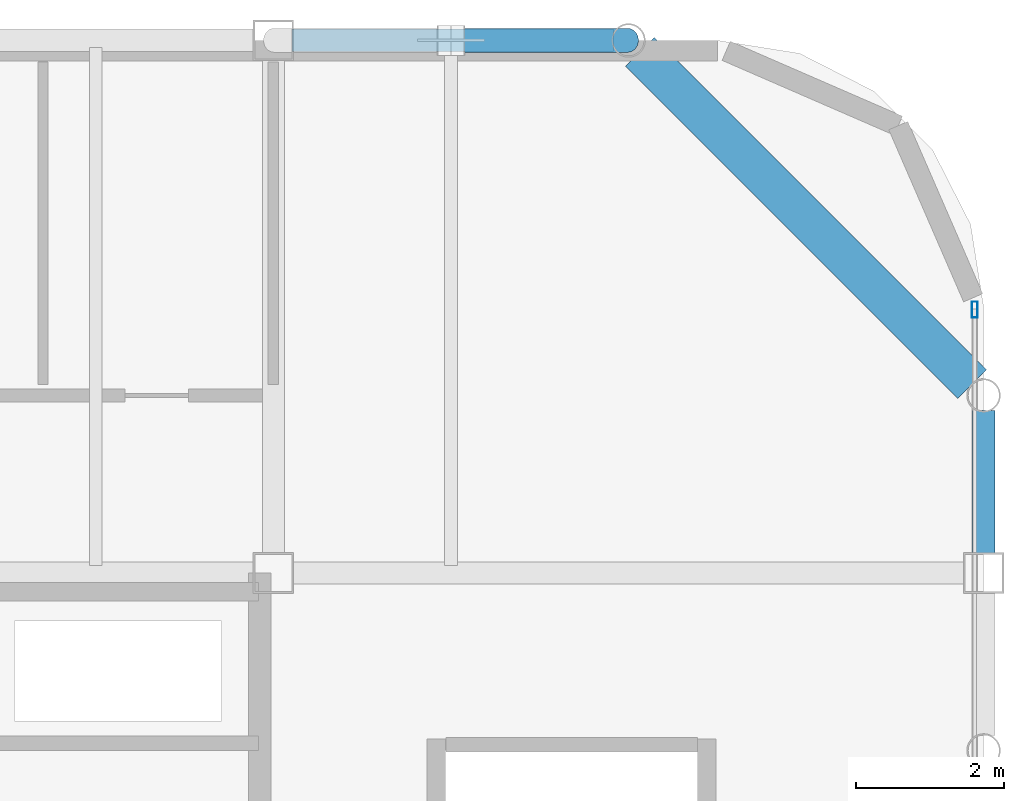
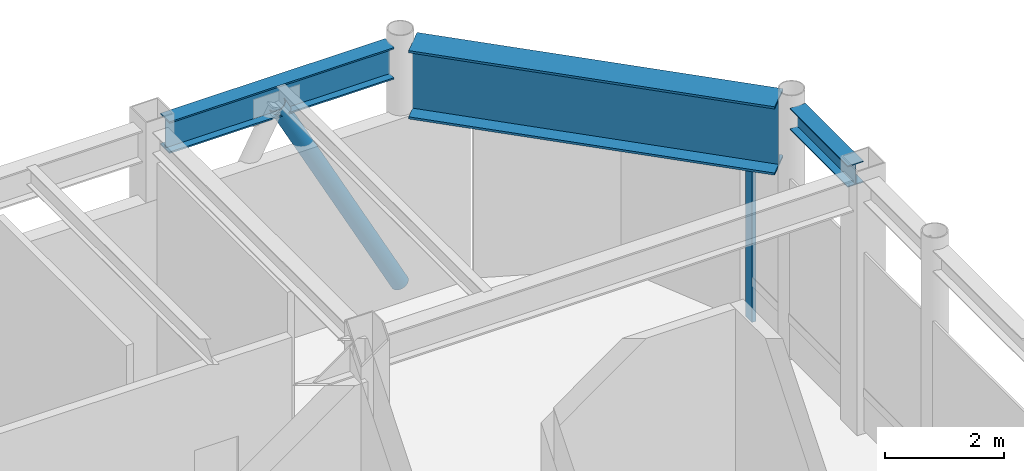
# One storey, part 15 of 21: 3 beams, 2 members, 1 element without a shape of its own.
"""IFC4 building model written with IfcOpenShell, lengths in metres."""

from ifc_helpers import new_model, si_unit, direction, frame, origin, origin_2d, place, context, subcontext, project, spatial, hollow_rectangle, hollow_circle, i_section, extrude, material, layer, layer_set, material_profile, profile_set, type_object, element, aggregate, save


model = new_model("IFC4")

# Units and contexts
model_context = context("Model", 3, precision=1e-05, world=origin(), true_north=direction((0.0, 1.0)))
body_context = subcontext(model_context, "Body", "Model", "MODEL_VIEW")
ifc_project = project(units=[si_unit("LENGTHUNIT", "METRE"), si_unit("AREAUNIT", "SQUARE_METRE"), si_unit("VOLUMEUNIT", "CUBIC_METRE"), si_unit("PLANEANGLEUNIT", "RADIAN"), si_unit("MASSUNIT", "GRAM", prefix="KILO")], contexts=[model_context])

# Site, building, storey
site_placement = place(None, origin())
site = spatial("IfcSite", under=ifc_project, at=site_placement, CompositionType="ELEMENT")
building_placement = place(site_placement, origin())
building = spatial("IfcBuilding", under=site, at=building_placement, Name="Kallvorn Hotel Tower", CompositionType="ELEMENT")
storey_placement = place(building_placement, frame((0.0, 0.0, 300.60009765625)))
storey = spatial("IfcBuildingStorey", under=building, at=storey_placement, Name="L74", CompositionType="ELEMENT", Elevation=300.60009765625)

# Beams
ifc_material_1 = material(Name="Structural steel S355JR", Category="steel")
ifc_material_profile_1 = material_profile(ifc_material_1, i_section(OverallWidth=0.300048828125, OverallDepth=0.43994140625, WebThickness=0.011474609375, FlangeThickness=0.02099609375, at=origin_2d()), Name="HE 450 A")
ifc_profile_set_1 = profile_set([ifc_material_profile_1], Name="Structural steel S355JR")
beam_type_1 = type_object("IfcBeamType", Name="BM_HE450A", PredefinedType="BEAM", material=ifc_profile_set_1)
beam_1_placement = place(storey_placement, frame((24.0, 7.449951171875, 4.93994140625), z_axis=(0.0, 1.0, 0.0), x_axis=(-1.0, 0.0, 0.0)))
element("IfcBeam", 1, at=beam_1_placement, inside=storey, type_object=beam_type_1, Name="ROOF Primary Y-Girder 53", PredefinedType="BEAM", context=body_context, shape_type="SweptSolid", body=[
    extrude(i_section(OverallWidth=0.300048828125, OverallDepth=0.43994140625, WebThickness=0.011474609375, FlangeThickness=0.02099609375, at=origin_2d()), origin(), (0.0, 0.0, 1.0), 1.946533203125),
])
ifc_material_2 = material(Name="Structural steel S355JR", Category="steel")
ifc_material_profile_2 = material_profile(ifc_material_2, i_section(OverallWidth=0.300048828125, OverallDepth=0.64990234375, WebThickness=0.01611328125, FlangeThickness=0.031005859375, at=origin_2d()), Name="HE 650 B")
ifc_profile_set_2 = profile_set([ifc_material_profile_2], Name="Structural steel S355JR")
beam_type_2 = type_object("IfcBeamType", Name="BM_HE650B", PredefinedType="BEAM", material=ifc_profile_set_2)
beam_2_placement = place(storey_placement, frame((14.64990234375, 14.39990234375, 4.8349609375), z_axis=(1.0, 0.0, 0.0), x_axis=(0.0, 1.0, 0.0)))
element("IfcBeam", 2, at=beam_2_placement, inside=storey, type_object=beam_type_2, Name="ROOF Primary X-Girder 24", PredefinedType="BEAM", context=body_context, shape_type="SweptSolid", body=[
    extrude(i_section(OverallWidth=0.300048828125, OverallDepth=0.64990234375, WebThickness=0.01611328125, FlangeThickness=0.031005859375, at=origin_2d()), origin(), (0.0, 0.0, 1.0), 4.3466796875),
])
ifc_material_3 = material(Name="Structural steel S355JR", Category="steel")
ifc_material_profile_3 = material_profile(ifc_material_3, i_section(OverallWidth=0.550048828125, OverallDepth=1.39990234375, WebThickness=0.02490234375, FlangeThickness=0.044921875, at=origin_2d()), Name="PG 1400x550x25x45")
ifc_profile_set_3 = profile_set([ifc_material_profile_3], Name="Structural steel S355JR")
beam_type_3 = type_object("IfcBeamType", Name="BM_PG_1400", PredefinedType="BEAM", material=ifc_profile_set_3)
beam_3_placement = place(storey_placement, frame((23.845458984375, 9.75439453125, 4.4599609375), z_axis=(-0.707087561367, 0.707126000484, 0.0), x_axis=(-0.707126000484, -0.707087561367, 0.0)))
element("IfcBeam", 3, at=beam_3_placement, inside=storey, type_object=beam_type_3, Name="ROOF Rounded Corner Tie Beam 89", PredefinedType="BEAM", context=body_context, shape_type="SweptSolid", body=[
    extrude(i_section(OverallWidth=0.550048828125, OverallDepth=1.39990234375, WebThickness=0.02490234375, FlangeThickness=0.044921875, at=origin_2d()), origin(), (0.0, 0.0, 1.0), 6.351318359375),
])

# Curtain wall, member
ifc_material_4 = material(Name="Thermally broken black-anodised aluminium AA 6063-T6", Category="aluminium")
ifc_layer = layer(ifc_material_4, 0.25)
ifc_layer_set = layer_set([ifc_layer], Name="CW_SYS_6_SUMMIT_OBS")
curtain_wall_type = type_object("IfcCurtainWallType", Name="CW_SYS_6_SUMMIT_OBS", PredefinedType="USERDEFINED", material=ifc_layer_set)
curtain_wall_placement = place(storey_placement, origin())
curtain_wall = element("IfcCurtainWall", 4, at=curtain_wall_placement, inside=storey, type_object=curtain_wall_type, Name="L74 Dark-Glass Curtain Wall CW-L74-EN", ObjectType="UNITISED CURTAIN WALL", PredefinedType="USERDEFINED")
ifc_material_5 = material(Name="Thermally broken black-anodised aluminium AA 6063-T6", Category="aluminium")
ifc_material_profile_4 = material_profile(ifc_material_5, hollow_rectangle(XDim=0.080078125, YDim=0.219970703125, WallThickness=0.0048828125, at=origin_2d()), Name="MUL 220x80")
ifc_profile_set_4 = profile_set([ifc_material_profile_4], Name="Thermally broken black-anodised aluminium AA 6063-T6")
member_type_1 = type_object("IfcMemberType", Name="CW_MULLION_220x80", PredefinedType="MULLION", material=ifc_profile_set_4)
member_1_placement = place(storey_placement, frame((23.8798828125, 10.760009765625, 0.02001953125), z_axis=(0.0, 0.0, 1.0), x_axis=(1.0, 0.0, 0.0)))
member_1 = element("IfcMember", 5, at=member_1_placement, type_object=member_type_1, Name="CW-L74-EN Mullion 01", PredefinedType="MULLION", context=body_context, shape_type="SweptSolid", body=[
    extrude(hollow_rectangle(XDim=0.080078125, YDim=0.219970703125, WallThickness=0.0048828125, at=origin_2d()), origin(), (0.0, 0.0, 1.0), 3.719970703125),
])
aggregate(curtain_wall, [member_1])

# Member
ifc_material_6 = material(Name="Structural steel S355J2H", Category="steel")
ifc_material_profile_5 = material_profile(ifc_material_6, hollow_circle(Radius=0.161865234375, WallThickness=0.012451171875, at=origin_2d()), Name="CHS 323.9x12.5")
ifc_profile_set_5 = profile_set([ifc_material_profile_5], Name="Structural steel S355J2H")
member_type_2 = type_object("IfcMemberType", Name="MBR_EXO_CHS323", PredefinedType="BRACE", material=ifc_profile_set_5)
member_2_placement = place(storey_placement, frame((19.190673828125, 14.39990234375, 0.197509765625), z_axis=(-0.468985303054, 0.0, 0.883205970043), x_axis=(0.0, -1.0, 0.0)))
element("IfcMember", 6, at=member_2_placement, inside=storey, type_object=member_type_2, Name="L74 Exoskeleton K-Brace N2B", PredefinedType="BRACE", context=body_context, shape_type="SweptSolid", body=[
    extrude(hollow_circle(Radius=0.161865234375, WallThickness=0.012451171875, at=origin_2d()), origin(), (0.0, 0.0, 1.0), 5.07763671875),
])

save(model, "model.ifc")
